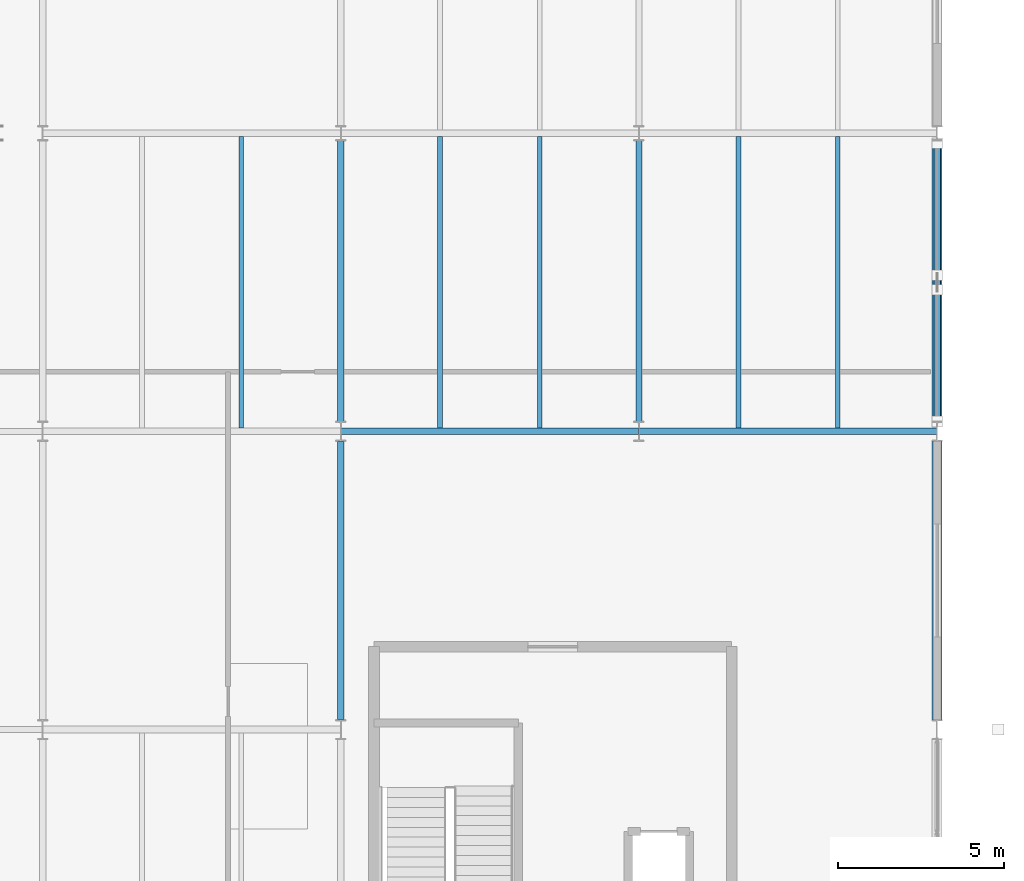
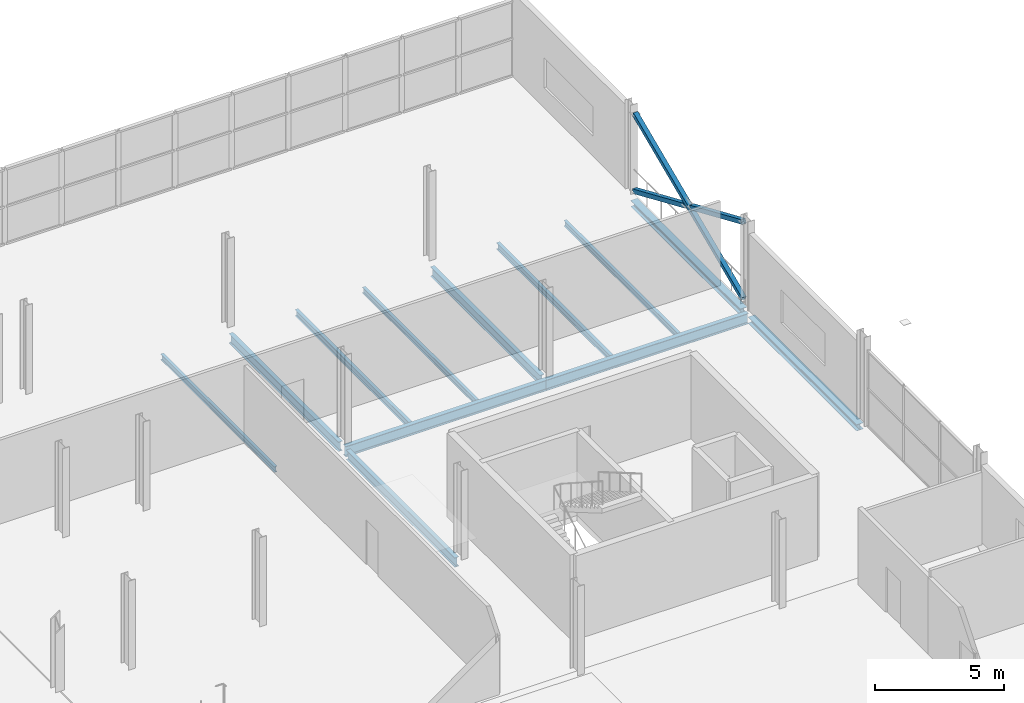
# One storey, part 58 of 88: 12 beams, 3 members.
"""IFC4 building model written with IfcOpenShell, lengths in metres."""

from ifc_helpers import new_model, si_unit, direction, frame, origin, origin_2d, place, context, subcontext, project, spatial, hollow_rectangle, i_section, extrude, material, material_profile, profile_set, type_object, element, save


model = new_model("IFC4")

# Units and contexts
model_context = context("Model", 3, precision=1e-05, world=origin(), true_north=direction((0.0, 1.0)))
body_context = subcontext(model_context, "Body", "Model", "MODEL_VIEW")
ifc_project = project(units=[si_unit("LENGTHUNIT", "METRE"), si_unit("AREAUNIT", "SQUARE_METRE"), si_unit("VOLUMEUNIT", "CUBIC_METRE"), si_unit("PLANEANGLEUNIT", "RADIAN"), si_unit("MASSUNIT", "GRAM", prefix="KILO")], contexts=[model_context])

# Site, building, storey
site_placement = place(None, origin())
site = spatial("IfcSite", under=ifc_project, at=site_placement, CompositionType="ELEMENT")
building_placement = place(site_placement, origin())
building = spatial("IfcBuilding", under=site, at=building_placement, Name="Deido Ridge Mobility Hub", CompositionType="ELEMENT")
storey_placement = place(building_placement, frame((0.0, 0.0, 16.800048828125)))
storey = spatial("IfcBuildingStorey", under=building, at=storey_placement, Name="L04", CompositionType="ELEMENT", Elevation=16.800048828125)

# Beams
ifc_material_1 = material(Name="Steel S355J2 EN 10025-2", Category="steel")
ifc_material_profile_1 = material_profile(ifc_material_1, i_section(OverallWidth=0.18994140625, OverallDepth=0.449951171875, WebThickness=0.009521484375, FlangeThickness=0.0146484375, FilletRadius=0.02099609375, at=origin_2d()), Name="IPE 450")
ifc_profile_set_1 = profile_set([ifc_material_profile_1], Name="Steel S355J2 EN 10025-2")
beam_type_1 = type_object("IfcBeamType", Name="BM-IPE450", PredefinedType="BEAM", material=ifc_profile_set_1)
beam_1_placement = place(storey_placement, frame((162.0, 45.300048828125, -0.5), z_axis=(0.0, 1.0, 0.0), x_axis=(-1.0, 0.0, 0.0)))
element("IfcBeam", 1, at=beam_1_placement, inside=storey, type_object=beam_type_1, Name="Floor beam B4", PredefinedType="BEAM", context=body_context, shape_type="SweptSolid", body=[
    extrude(i_section(OverallWidth=0.18994140625, OverallDepth=0.449951171875, WebThickness=0.009521484375, FlangeThickness=0.0146484375, FilletRadius=0.02099609375, at=origin_2d()), origin(), (0.0, 0.0, 1.0), 8.39990234375),
])
for number, where, z_axis, x_axis, name in (
    (2, (162.0, 54.300048828125, -0.5), (0.0, 1.0, 0.0), (-1.0, 0.0, 0.0), "Floor beam B4"),
    (3, (171.0, 54.300048828125, -0.5), (0.0, 1.0, 0.0), (-1.0, 0.0, 0.0), "Floor beam B4"),
):
    element("IfcBeam", number, at=place(storey_placement, frame(where, z_axis=z_axis, x_axis=x_axis)), inside=storey, type_object=beam_type_1, Name=name, PredefinedType="BEAM", context=body_context, shape_type="SweptSolid", body=[
        extrude(i_section(OverallWidth=0.18994140625, OverallDepth=0.449951171875, WebThickness=0.009521484375, FlangeThickness=0.0146484375, FilletRadius=0.02099609375, at=origin_2d()), origin(), (0.0, 0.0, 1.0), 8.474853515625),
    ])
ifc_material_profile_2 = material_profile(ifc_material_1, i_section(OverallWidth=0.199951171875, OverallDepth=0.5, WebThickness=0.01025390625, FlangeThickness=0.01611328125, FilletRadius=0.02099609375, at=origin_2d()), Name="IPE 500")
ifc_profile_set_2 = profile_set([ifc_material_profile_2], Name="Steel S355J2 EN 10025-2")
beam_type_2 = type_object("IfcBeamType", Name="BM-IPE500", PredefinedType="BEAM", material=ifc_profile_set_2)
for number, where, z_axis, x_axis, name in (
    (4, (162.0078125, 54.0, -0.525146484375), (1.0, 0.0, 0.0), (0.0, 1.0, 0.0), "Floor beam B3"),
    (5, (171.0078125, 54.0, -0.525146484375), (1.0, 0.0, 0.0), (0.0, 1.0, 0.0), "Floor beam B3"),
):
    element("IfcBeam", number, at=place(storey_placement, frame(where, z_axis=z_axis, x_axis=x_axis)), inside=storey, type_object=beam_type_2, Name=name, PredefinedType="BEAM", context=body_context, shape_type="SweptSolid", body=[
        extrude(i_section(OverallWidth=0.199951171875, OverallDepth=0.5, WebThickness=0.01025390625, FlangeThickness=0.01611328125, FilletRadius=0.02099609375, at=origin_2d()), origin(), (0.0, 0.0, 1.0), 8.984375),
    ])
ifc_material_profile_3 = material_profile(ifc_material_1, i_section(OverallWidth=0.135009765625, OverallDepth=0.27001953125, WebThickness=0.006591796875, FlangeThickness=0.01025390625, FilletRadius=0.014892578125, at=origin_2d()), Name="IPE 270")
ifc_profile_set_3 = profile_set([ifc_material_profile_3], Name="Steel S355J2 EN 10025-2")
beam_type_3 = type_object("IfcBeamType", Name="JST-IPE270", PredefinedType="JOIST", material=ifc_profile_set_3)
for number, where, z_axis, x_axis, name in (
    (6, (159.0, 54.10009765625, -0.41015625), (0.0, 1.0, 0.0), (-1.0, 0.0, 0.0), "Composite joist J4"),
    (7, (168.0, 54.10009765625, -0.41015625), (0.0, 1.0, 0.0), (-1.0, 0.0, 0.0), "Composite joist J4"),
    (8, (177.0, 54.10009765625, -0.41015625), (0.0, 1.0, 0.0), (-1.0, 0.0, 0.0), "Composite joist J4"),
):
    element("IfcBeam", number, at=place(storey_placement, frame(where, z_axis=z_axis, x_axis=x_axis)), inside=storey, type_object=beam_type_3, Name=name, PredefinedType="JOIST", context=body_context, shape_type="SweptSolid", body=[
        extrude(i_section(OverallWidth=0.135009765625, OverallDepth=0.27001953125, WebThickness=0.006591796875, FlangeThickness=0.01025390625, FilletRadius=0.014892578125, at=origin_2d()), origin(), (0.0, 0.0, 1.0), 8.7998046875),
    ])
ifc_material_profile_4 = material_profile(ifc_material_1, i_section(OverallWidth=0.14990234375, OverallDepth=0.300048828125, WebThickness=0.007080078125, FlangeThickness=0.0107421875, FilletRadius=0.014892578125, at=origin_2d()), Name="IPE 300")
ifc_profile_set_4 = profile_set([ifc_material_profile_4], Name="Steel S355J2 EN 10025-2")
beam_type_4 = type_object("IfcBeamType", Name="JST-IPE300", PredefinedType="JOIST", material=ifc_profile_set_4)
for number, where, z_axis, x_axis, name in (
    (9, (165.0, 54.10009765625, -0.425048828125), (0.0, 1.0, 0.0), (-1.0, 0.0, 0.0), "Composite joist J3"),
    (10, (174.0, 54.10009765625, -0.425048828125), (0.0, 1.0, 0.0), (-1.0, 0.0, 0.0), "Composite joist J3"),
):
    element("IfcBeam", number, at=place(storey_placement, frame(where, z_axis=z_axis, x_axis=x_axis)), inside=storey, type_object=beam_type_4, Name=name, PredefinedType="JOIST", context=body_context, shape_type="SweptSolid", body=[
        extrude(i_section(OverallWidth=0.14990234375, OverallDepth=0.300048828125, WebThickness=0.007080078125, FlangeThickness=0.0107421875, FilletRadius=0.014892578125, at=origin_2d()), origin(), (0.0, 0.0, 1.0), 8.7998046875),
    ])

# Members
ifc_material_2 = material(Name="Steel S355J2H EN 10210-1", Category="steel")
ifc_material_profile_5 = material_profile(ifc_material_2, hollow_rectangle(XDim=0.199951171875, YDim=0.199951171875, WallThickness=0.010009765625, at=origin_2d()), Name="SHS 200x200x10")
ifc_profile_set_5 = profile_set([ifc_material_profile_5], Name="Steel S355J2H EN 10210-1")
member_type = type_object("IfcMemberType", Name="MEM-BRC-SHS200", PredefinedType="BRACE", material=ifc_profile_set_5)
member_placement = place(storey_placement, frame((180.0, 54.300048828125, 0.179931640625), z_axis=(0.0, 0.91754849034, 0.397623902545), x_axis=(-1.0, 0.0, 0.0)))
element("IfcMember", 11, at=member_placement, inside=storey, type_object=member_type, Name="Continuous X-brace diagonal BR3", PredefinedType="BRACE", context=body_context, shape_type="SweptSolid", body=[
    extrude(hollow_rectangle(XDim=0.199951171875, YDim=0.199951171875, WallThickness=0.010009765625, at=origin_2d()), origin(), (0.0, 0.0, 1.0), 9.15478515625),
])
for number, where, z_axis, x_axis, name in (
    (12, (180.0, 62.699951171875, 0.179931640625), (0.0, -0.917550833654, 0.397618495119), (1.0, 0.0, 0.0), "Split X-brace diagonal segment BR3"),
    (13, (180.0, 58.27978515625, 2.095458984375), (0.0, -0.917550833654, 0.397618495119), (1.0, 0.0, 0.0), "Split X-brace diagonal segment BR3"),
):
    element("IfcMember", number, at=place(storey_placement, frame(where, z_axis=z_axis, x_axis=x_axis)), inside=storey, type_object=member_type, Name=name, PredefinedType="BRACE", context=body_context, shape_type="SweptSolid", body=[
        extrude(hollow_rectangle(XDim=0.199951171875, YDim=0.199951171875, WallThickness=0.010009765625, at=origin_2d()), origin(), (0.0, 0.0, 1.0), 4.33740234375),
    ])

# Beams
ifc_material_profile_6 = material_profile(ifc_material_1, i_section(OverallWidth=0.300048828125, OverallDepth=0.300048828125, WebThickness=0.010986328125, FlangeThickness=0.01904296875, FilletRadius=0.027099609375, at=origin_2d()), Name="HEB 300")
ifc_profile_set_6 = profile_set([ifc_material_profile_6], Name="Steel S355J2 EN 10025-2")
beam_type_5 = type_object("IfcBeamType", Name="SPD-HEB300", PredefinedType="SPANDREL", material=ifc_profile_set_6)
beam_2_placement = place(storey_placement, frame((180.0, 45.300048828125, -0.425048828125), z_axis=(0.0, 1.0, 0.0), x_axis=(-1.0, 0.0, 0.0)))
element("IfcBeam", 14, at=beam_2_placement, inside=storey, type_object=beam_type_5, Name="Floor beam SP1", PredefinedType="SPANDREL", context=body_context, shape_type="SweptSolid", body=[
    extrude(i_section(OverallWidth=0.300048828125, OverallDepth=0.300048828125, WebThickness=0.010986328125, FlangeThickness=0.01904296875, FilletRadius=0.027099609375, at=origin_2d()), origin(), (0.0, 0.0, 1.0), 8.39990234375),
])
beam_3_placement = place(storey_placement, frame((180.0, 54.300048828125, -0.425048828125), z_axis=(0.0, 1.0, 0.0), x_axis=(-1.0, 0.0, 0.0)))
element("IfcBeam", 15, at=beam_3_placement, inside=storey, type_object=beam_type_5, Name="Floor beam SP1", PredefinedType="SPANDREL", context=body_context, shape_type="SweptSolid", body=[
    extrude(i_section(OverallWidth=0.300048828125, OverallDepth=0.300048828125, WebThickness=0.010986328125, FlangeThickness=0.01904296875, FilletRadius=0.027099609375, at=origin_2d()), origin(), (0.0, 0.0, 1.0), 8.474853515625),
])

save(model, "model.ifc")
